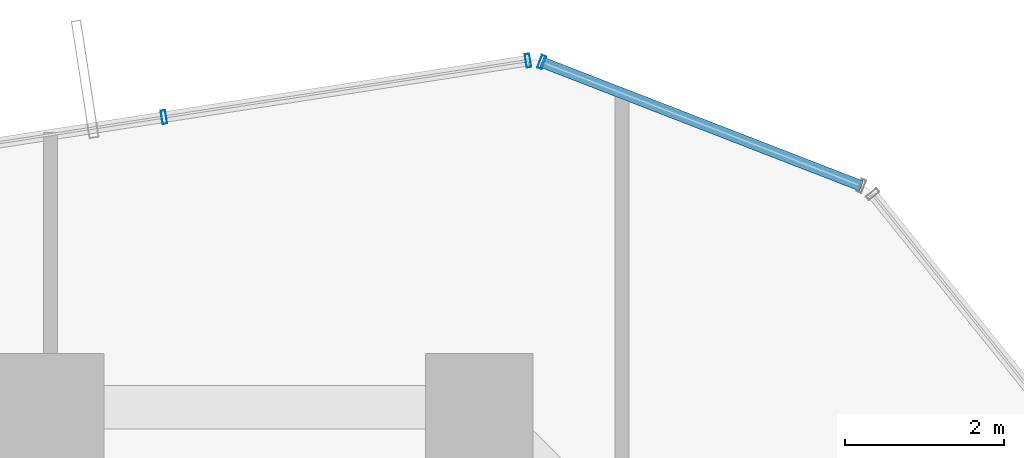
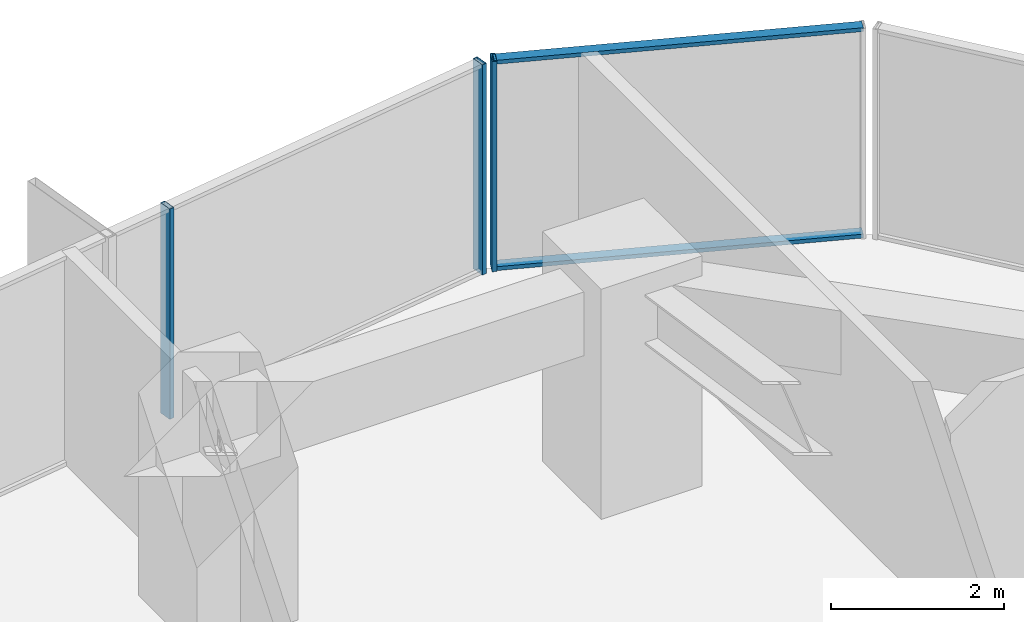
# One storey, part 27 of 37: 5 members, 2 elements without a shape of their own.
"""IFC4 building model written with IfcOpenShell, lengths in metres."""

from ifc_helpers import new_model, si_unit, direction, frame, origin, origin_2d, place, context, subcontext, project, spatial, hollow_rectangle, extrude, source, transform, mapped, material, layer, layer_set, material_profile, profile_set, type_object, element, aggregate, save


model = new_model("IFC4")

# Units and contexts
model_context = context("Model", 3, precision=1e-05, world=origin(), true_north=direction((0.0, 1.0)))
body_context = subcontext(model_context, "Body", "Model", "MODEL_VIEW")
ifc_project = project(units=[si_unit("LENGTHUNIT", "METRE"), si_unit("AREAUNIT", "SQUARE_METRE"), si_unit("VOLUMEUNIT", "CUBIC_METRE"), si_unit("PLANEANGLEUNIT", "RADIAN"), si_unit("MASSUNIT", "GRAM", prefix="KILO")], contexts=[model_context])

# Site, building, storey
site_placement = place(None, origin())
site = spatial("IfcSite", under=ifc_project, at=site_placement, CompositionType="ELEMENT")
building_placement = place(site_placement, origin())
building = spatial("IfcBuilding", under=site, at=building_placement, Name="Veraguas Prism Commons", CompositionType="ELEMENT")
storey_placement = place(building_placement, frame((0.0, 0.0, 53.300048828125)))
storey = spatial("IfcBuildingStorey", under=building, at=storey_placement, Name="L14", CompositionType="ELEMENT", Elevation=53.300048828125)

# Curtain wall, members
ifc_material = material(Name="Anodised aluminium EN AW-6063 T6", Category="aluminium")
ifc_layer = layer(ifc_material, 0.169921875, Name="Unitised Flush Curtain Wall Zone 1", Category="aluminium")
ifc_layer_set = layer_set([ifc_layer], Name="Anodised aluminium EN AW-6063 T6")
curtain_wall_type = type_object("IfcCurtainWallType", Name="Unitised Flush Curtain Wall Zone 1", PredefinedType="NOTDEFINED", material=ifc_layer_set)
curtain_wall_1_placement = place(storey_placement, origin())
curtain_wall_1 = element("IfcCurtainWall", 1, at=curtain_wall_1_placement, inside=storey, type_object=curtain_wall_type, Name="Chamfer Curtain Wall L14-C2", PredefinedType="NOTDEFINED")
ifc_material_profile_1 = material_profile(ifc_material, hollow_rectangle(XDim=0.054931640625, YDim=0.135009765625, WallThickness=0.0029296875, at=origin_2d()), Name="AL55X135X3")
ifc_profile_set_1 = profile_set([ifc_material_profile_1], Name="Anodised aluminium EN AW-6063 T6")
member_type_1 = type_object("IfcMemberType", Name="Curtain Wall Transom Standard AL 55x135x3", PredefinedType="USERDEFINED", material=ifc_profile_set_1)
shared_shape_1 = source(origin(), body_context, "Body", "SweptSolid", [
    extrude(hollow_rectangle(XDim=0.054931640625, YDim=0.135009765625, WallThickness=0.0029296875, at=origin_2d()), origin(), (0.0, 0.0, 1.0), 4.31982421875),
])
member_1_placement = place(storey_placement, frame((34.2158203125, 44.38720703125, 0.02734375), z_axis=(-0.932467406211, 0.361254116037, 0.0), x_axis=(0.0, 0.0, 1.0)))
member_1 = element("IfcMember", 2, at=member_1_placement, type_object=member_type_1, Name="CW-Z1 Transom 1", ObjectType="TRANSOM", PredefinedType="USERDEFINED", context=body_context, shape_type="MappedRepresentation", body=[
    mapped(shared_shape_1, transform((0.0, 0.0, 0.0), scale=1.0)),
])
member_2_placement = place(storey_placement, frame((34.2158203125, 44.38720703125, 2.9423828125), z_axis=(-0.932467406211, 0.361254116037, 0.0), x_axis=(0.0, 0.0, 1.0)))
member_2 = element("IfcMember", 3, at=member_2_placement, type_object=member_type_1, Name="CW-Z1 Transom 2", ObjectType="TRANSOM", PredefinedType="USERDEFINED", context=body_context, shape_type="MappedRepresentation", body=[
    mapped(shared_shape_1, transform((0.0, 0.0, 0.0), scale=1.0)),
])

curtain_wall_2_placement = place(storey_placement, origin())
curtain_wall_2 = element("IfcCurtainWall", 4, at=curtain_wall_2_placement, inside=storey, type_object=curtain_wall_type, Name="Tower Facade Curtain Wall L14-F2", PredefinedType="NOTDEFINED")
ifc_material_profile_2 = material_profile(ifc_material, hollow_rectangle(XDim=0.06005859375, YDim=0.169921875, WallThickness=0.00390625, at=origin_2d()), Name="AL60X170X4")
ifc_profile_set_2 = profile_set([ifc_material_profile_2], Name="Anodised aluminium EN AW-6063 T6")
member_type_2 = type_object("IfcMemberType", Name="Curtain Wall Mullion Lower AL 60x170x4", PredefinedType="MULLION", material=ifc_profile_set_2)
shared_shape_2 = source(origin(), body_context, "Body", "SweptSolid", [
    extrude(hollow_rectangle(XDim=0.06005859375, YDim=0.169921875, WallThickness=0.00390625, at=origin_2d()), origin(), (0.0, 0.0, 1.0), 2.969970703125),
])
member_3_placement = place(storey_placement, frame((30.014892578125, 45.966552734375, 0.0), z_axis=(0.0, 0.0, 1.0), x_axis=(-0.98817491911, -0.153330783737, 0.0)))
member_3 = element("IfcMember", 5, at=member_3_placement, type_object=member_type_2, Name="CW-Z1 Mullion 1", PredefinedType="MULLION", context=body_context, shape_type="MappedRepresentation", body=[
    mapped(shared_shape_2, transform((0.0, 0.0, 0.0), scale=1.0)),
])
member_4_placement = place(storey_placement, frame((25.4287109375, 45.2548828125, 0.0), z_axis=(0.0, 0.0, 1.0), x_axis=(-0.98817491911, -0.153330783737, 0.0)))
member_4 = element("IfcMember", 6, at=member_4_placement, type_object=member_type_2, Name="CW-Z1 Mullion 2", PredefinedType="MULLION", context=body_context, shape_type="MappedRepresentation", body=[
    mapped(shared_shape_2, transform((0.0, 0.0, 0.0), scale=1.0)),
])
aggregate(curtain_wall_2, [member_3, member_4])

# Member
member_5_placement = place(storey_placement, frame((30.187744140625, 45.94775390625, 0.0), z_axis=(0.0, 0.0, 1.0), x_axis=(-0.932458803125, 0.361276321498, 0.0)))
member_5 = element("IfcMember", 7, at=member_5_placement, type_object=member_type_2, Name="CW-Z1 Mullion 2", PredefinedType="MULLION", context=body_context, shape_type="MappedRepresentation", body=[
    mapped(shared_shape_2, transform((0.0, 0.0, 0.0), scale=1.0)),
])

aggregate(curtain_wall_1, [member_5, member_1, member_2])

save(model, "model.ifc")
